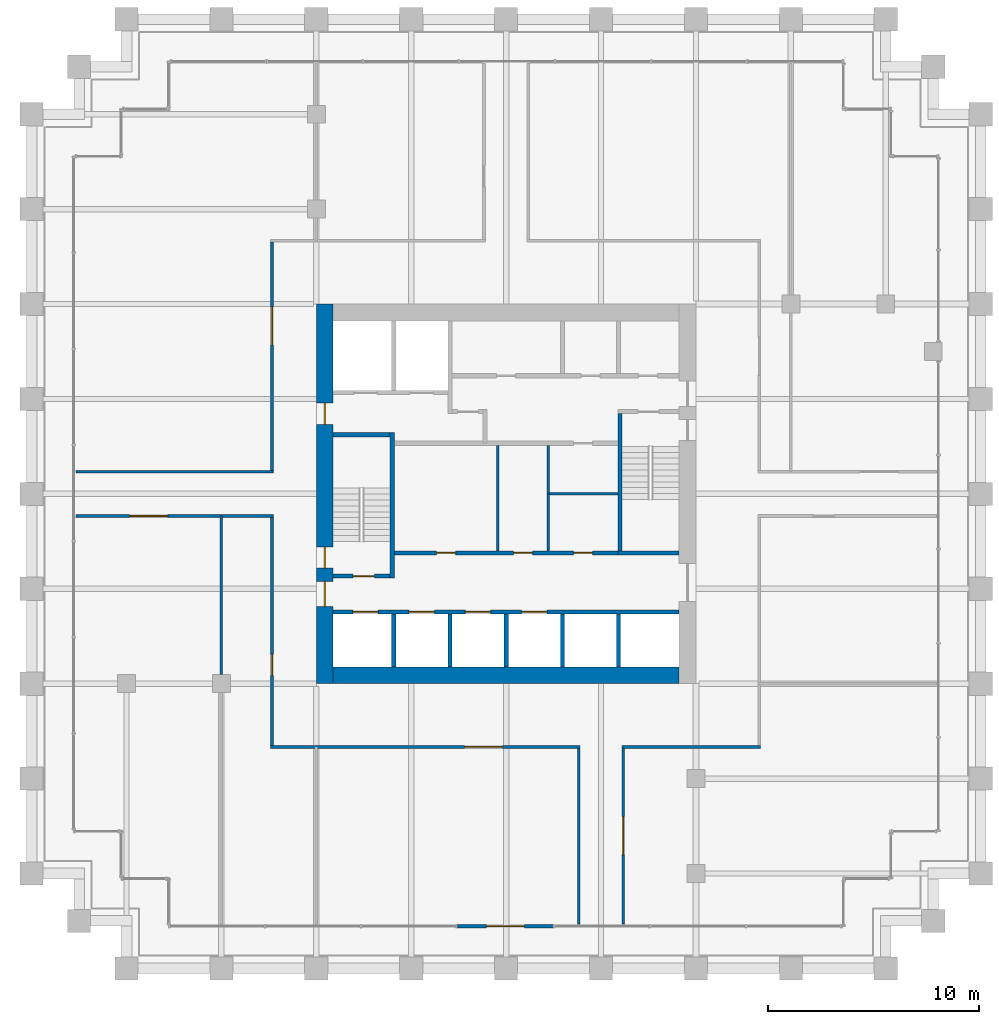
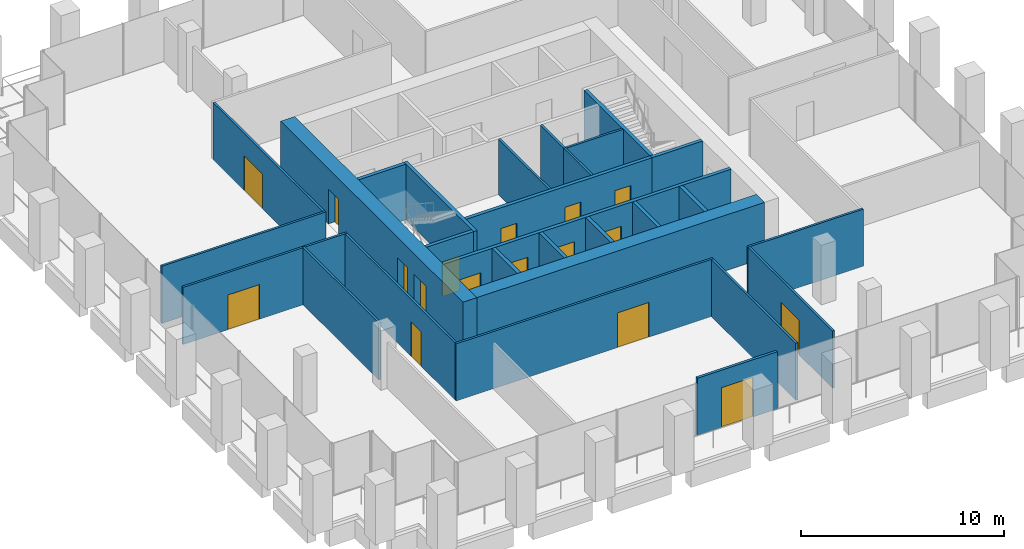
# One storey, part 50 of 54: 28 walls, 17 doors, 17 openings.
"""IFC4 building model written with IfcOpenShell, lengths in metres."""

from ifc_helpers import new_model, si_unit, direction, frame, frame_2d, origin, place, context, subcontext, project, spatial, rectangle, extrude, material, layer, layer_set, type_object, element, fill, save


model = new_model("IFC4")

# Units and contexts
model_context = context("Model", 3, precision=1e-05, world=origin(), true_north=direction((0.0, 1.0)))
body_context = subcontext(model_context, "Body", "Model", "MODEL_VIEW")
ifc_project = project(units=[si_unit("LENGTHUNIT", "METRE"), si_unit("AREAUNIT", "SQUARE_METRE"), si_unit("VOLUMEUNIT", "CUBIC_METRE"), si_unit("PLANEANGLEUNIT", "RADIAN"), si_unit("MASSUNIT", "GRAM", prefix="KILO")], contexts=[model_context])

# Site, building, storey
site_placement = place(None, origin())
site = spatial("IfcSite", under=ifc_project, at=site_placement, CompositionType="ELEMENT")
building_placement = place(site_placement, origin())
building = spatial("IfcBuilding", under=site, at=building_placement, Name="Altepetl Exchange Towers", CompositionType="ELEMENT")
storey_placement = place(building_placement, frame((0.0, 0.0, 61.800048828125)))
storey = spatial("IfcBuildingStorey", under=building, at=storey_placement, Name="L14", CompositionType="ELEMENT", Elevation=61.800048828125)

# Wall
ifc_material_1 = material(Name="Concrete C70/85", Category="concrete")
ifc_layer_1 = layer(ifc_material_1, 0.800048828125)
ifc_layer_set_1 = layer_set([ifc_layer_1], Name="Concrete C70/85")
wall_type_1 = type_object("IfcWallType", Name="Core wall 800 reinforced concrete", PredefinedType="SHEAR", material=ifc_layer_set_1)
wall_1_placement = place(storey_placement, frame((41.300048828125, 40.89990234375, 0.0)))
element("IfcWall", 1, at=wall_1_placement, inside=storey, type_object=wall_type_1, Name="wall:A:L14:K-coreS", PredefinedType="SHEAR", context=body_context, shape_type="SweptSolid", body=[
    extrude(rectangle(XDim=16.39990234375, YDim=0.800048828125, at=frame_2d((8.199951171875, 0.0))), origin(), (0.0, 0.0, 1.0), 3.349853515625),
])

# Wall, openings, doors
wall_2_placement = place(storey_placement, frame((40.89990234375, 40.5, 0.0), z_axis=(0.0, 0.0, 1.0), x_axis=(0.0, 1.0, 0.0)))
wall_2 = element("IfcWall", 2, at=wall_2_placement, inside=storey, type_object=wall_type_1, Name="wall:A:L14:K-coreW", PredefinedType="SHEAR", context=body_context, shape_type="SweptSolid", body=[
    extrude(rectangle(XDim=18.0, YDim=0.800048828125, at=frame_2d((9.0, 0.0))), origin(), (0.0, 0.0, 1.0), 3.349853515625),
])
opening_1_placement = place(wall_2_placement, frame((3.64990234375, 0.0, 0.0)))
opening_1 = element("IfcOpeningElement", 3, at=opening_1_placement, cuts=wall_2, Name="Opening L14.A62", PredefinedType="OPENING", context=body_context, shape_type="SweptSolid", body=[
    extrude(rectangle(XDim=1.199951171875, YDim=2.10009765625, at=frame_2d((0.60009765625, 1.050048828125))), frame((0.0, 0.41015625, 0.0), z_axis=(0.0, -1.0, 0.0), x_axis=(1.0, 0.0, 0.0)), (0.0, 0.0, 1.0), 0.820068359375),
])
opening_2_placement = place(wall_2_placement, frame((5.47509765625, 0.0, 0.0)))
opening_2 = element("IfcOpeningElement", 4, at=opening_2_placement, cuts=wall_2, Name="Opening L14.A64", PredefinedType="OPENING", context=body_context, shape_type="SweptSolid", body=[
    extrude(rectangle(XDim=1.0, YDim=2.10009765625, at=frame_2d((0.5, 1.050048828125))), frame((0.0, 0.41015625, 0.0), z_axis=(0.0, -1.0, 0.0), x_axis=(1.0, 0.0, 0.0)), (0.0, 0.0, 1.0), 0.820068359375),
])
opening_3_placement = place(wall_2_placement, frame((12.300048828125, 0.0, 0.0)))
opening_3 = element("IfcOpeningElement", 5, at=opening_3_placement, cuts=wall_2, Name="Opening L14.A68", PredefinedType="OPENING", context=body_context, shape_type="SweptSolid", body=[
    extrude(rectangle(XDim=1.0, YDim=2.10009765625, at=frame_2d((0.5, 1.050048828125))), frame((0.0, 0.41015625, 0.0), z_axis=(0.0, -1.0, 0.0), x_axis=(1.0, 0.0, 0.0)), (0.0, 0.0, 1.0), 0.820068359375),
])
ifc_material_2 = material(Name="Steel and timber fire door", Category="steel")
door_type_1 = type_object("IfcDoorType", Name="Fire door 1000 x 2100 stair and lobby", OperationType="SINGLE_SWING_LEFT", PredefinedType="DOOR", material=ifc_material_2)
door_1_placement = place(opening_2_placement, frame((1.0, 0.0, 0.0), x_axis=(-1.0, 0.0, 0.0)))
door_1 = element("IfcDoor", 6, at=door_1_placement, inside=storey, type_object=door_type_1, Name="door:A:L14:K-dS1x", OperationType="SINGLE_SWING_RIGHT", OverallHeight=2.10009765625, OverallWidth=1.0, PredefinedType="DOOR", context=body_context, shape_type="SweptSolid", body=[
    extrude(rectangle(XDim=1.0, YDim=2.10009765625, at=frame_2d((0.5, 1.050048828125))), frame((0.0, 0.02490234375, 0.0), z_axis=(0.0, -1.0, 0.0), x_axis=(1.0, 0.0, 0.0)), (0.0, 0.0, 1.0), 0.050048828125),
])
fill(opening_2, door_1)
door_2_placement = place(opening_3_placement, frame((1.0, 0.0, 0.0), x_axis=(-1.0, 0.0, 0.0)))
door_2 = element("IfcDoor", 7, at=door_2_placement, inside=storey, type_object=door_type_1, Name="door:A:L14:K-dffW", OperationType="SINGLE_SWING_LEFT", OverallHeight=2.10009765625, OverallWidth=1.0, PredefinedType="DOOR", context=body_context, shape_type="SweptSolid", body=[
    extrude(rectangle(XDim=1.0, YDim=2.10009765625, at=frame_2d((0.5, 1.050048828125))), frame((0.0, 0.02490234375, 0.0), z_axis=(0.0, -1.0, 0.0), x_axis=(1.0, 0.0, 0.0)), (0.0, 0.0, 1.0), 0.050048828125),
])
fill(opening_3, door_2)
door_type_2 = type_object("IfcDoorType", Name="Fire door 1200 x 2100 lobby entry", OperationType="SINGLE_SWING_LEFT", PredefinedType="DOOR", material=ifc_material_2)
door_3_placement = place(opening_1_placement, frame((1.199951171875, 0.0, 0.0), x_axis=(-1.0, 0.0, 0.0)))
door_3 = element("IfcDoor", 8, at=door_3_placement, inside=storey, type_object=door_type_2, Name="door:A:L14:K-dLSW", OperationType="SINGLE_SWING_LEFT", OverallHeight=2.10009765625, OverallWidth=1.199951171875, PredefinedType="DOOR", context=body_context, shape_type="SweptSolid", body=[
    extrude(rectangle(XDim=1.199951171875, YDim=2.10009765625, at=frame_2d((0.60009765625, 1.050048828125))), frame((0.0, 0.02490234375, 0.0), z_axis=(0.0, -1.0, 0.0), x_axis=(1.0, 0.0, 0.0)), (0.0, 0.0, 1.0), 0.050048828125),
])
fill(opening_1, door_3)

# Wall, opening, door
ifc_material_3 = material(Name="Aluminium composite cladding", Category="aluminium")
ifc_layer_2 = layer(ifc_material_3, 0.14990234375)
ifc_layer_set_2 = layer_set([ifc_layer_2], Name="Aluminium composite cladding")
wall_type_2 = type_object("IfcWallType", Name="Infill wall 150 aluminium panel", PredefinedType="SOLIDWALL", material=ifc_layer_set_2)
wall_3_placement = place(storey_placement, frame((47.18212890625, 29.0, 0.0)))
wall_3 = element("IfcWall", 9, at=wall_3_placement, inside=storey, type_object=wall_type_2, Name="Loggia door bay wall", PredefinedType="SOLIDWALL", context=body_context, shape_type="SweptSolid", body=[
    extrude(rectangle(XDim=4.560791015625, YDim=0.14990234375, at=frame_2d((2.2802734375, 0.0))), origin(), (0.0, 0.0, 1.0), 3.449951171875),
])
opening_4_placement = place(wall_3_placement, frame((1.38037109375, 0.0, 0.0)))
opening_4 = element("IfcOpeningElement", 10, at=opening_4_placement, cuts=wall_3, Name="Opening L14.A90", PredefinedType="OPENING", context=body_context, shape_type="SweptSolid", body=[
    extrude(rectangle(XDim=1.800048828125, YDim=2.39990234375, at=frame_2d((0.89990234375, 1.199951171875))), frame((0.0, 0.0849609375, 0.0), z_axis=(0.0, -1.0, 0.0), x_axis=(1.0, 0.0, 0.0)), (0.0, 0.0, 1.0), 0.169921875),
])
ifc_material_4 = material(Name="Aluminium 6063-T6 and glass", Category="aluminium")
door_type_3 = type_object("IfcDoorType", Name="Glazed door pair 1800x2400", OperationType="DOUBLE_DOOR_DOUBLE_SWING", PredefinedType="NOTDEFINED", material=ifc_material_4)
door_4_placement = place(opening_4_placement, frame((1.800048828125, 0.0, 0.0), x_axis=(-1.0, 0.0, 0.0)))
door_4 = element("IfcDoor", 11, at=door_4_placement, inside=storey, type_object=door_type_3, Name="Loggia door", OperationType="DOUBLE_DOOR_DOUBLE_SWING", OverallHeight=2.39990234375, OverallWidth=1.800048828125, PredefinedType="NOTDEFINED", context=body_context, shape_type="SweptSolid", body=[
    extrude(rectangle(XDim=1.800048828125, YDim=2.39990234375, at=frame_2d((0.89990234375, 1.199951171875))), frame((0.0, 0.02490234375, 0.0), z_axis=(0.0, -1.0, 0.0), x_axis=(1.0, 0.0, 0.0)), (0.0, 0.0, 1.0), 0.050048828125),
])
fill(opening_4, door_4)

# Wall, openings, doors
ifc_material_5 = material(Name="Concrete blockwork", Category="masonry")
ifc_layer_3 = layer(ifc_material_5, 0.199951171875)
ifc_layer_set_3 = layer_set([ifc_layer_3], Name="Concrete blockwork")
wall_type_3 = type_object("IfcWallType", Name="Lobby wall 200 blockwork", PredefinedType="PARTITIONING", material=ifc_layer_set_3)
wall_4_placement = place(storey_placement, frame((44.199951171875, 46.699951171875, 0.0)))
wall_4 = element("IfcWall", 12, at=wall_4_placement, inside=storey, type_object=wall_type_3, Name="wall:A:L14:K-zoneS", PredefinedType="PARTITIONING", context=body_context, shape_type="SweptSolid", body=[
    extrude(rectangle(XDim=10.60009765625, YDim=0.199951171875, at=frame_2d((5.300048828125, 0.0))), origin(), (0.0, 0.0, 1.0), 3.349853515625),
])
opening_5_placement = place(wall_4_placement, frame((2.0, 0.0, 0.0)))
opening_5 = element("IfcOpeningElement", 13, at=opening_5_placement, cuts=wall_4, Name="Opening L14.A72", PredefinedType="OPENING", context=body_context, shape_type="SweptSolid", body=[
    extrude(rectangle(XDim=0.89990234375, YDim=2.10009765625, at=frame_2d((0.449951171875, 1.050048828125))), frame((0.0, 0.10986328125, 0.0), z_axis=(0.0, -1.0, 0.0), x_axis=(1.0, 0.0, 0.0)), (0.0, 0.0, 1.0), 0.219970703125),
])
opening_6_placement = place(wall_4_placement, frame((5.64990234375, 0.0, 0.0)))
opening_6 = element("IfcOpeningElement", 14, at=opening_6_placement, cuts=wall_4, Name="Opening L14.A73", PredefinedType="OPENING", context=body_context, shape_type="SweptSolid", body=[
    extrude(rectangle(XDim=0.89990234375, YDim=2.10009765625, at=frame_2d((0.449951171875, 1.050048828125))), frame((0.0, 0.10986328125, 0.0), z_axis=(0.0, -1.0, 0.0), x_axis=(1.0, 0.0, 0.0)), (0.0, 0.0, 1.0), 0.219970703125),
])
opening_7_placement = place(wall_4_placement, frame((8.5, 0.0, 0.0)))
opening_7 = element("IfcOpeningElement", 15, at=opening_7_placement, cuts=wall_4, Name="Opening L14.A75", PredefinedType="OPENING", context=body_context, shape_type="SweptSolid", body=[
    extrude(rectangle(XDim=0.89990234375, YDim=2.10009765625, at=frame_2d((0.449951171875, 1.050048828125))), frame((0.0, 0.10986328125, 0.0), z_axis=(0.0, -1.0, 0.0), x_axis=(1.0, 0.0, 0.0)), (0.0, 0.0, 1.0), 0.219970703125),
])
door_type_4 = type_object("IfcDoorType", Name="Fire door 900 x 2100 service room", OperationType="SINGLE_SWING_LEFT", PredefinedType="DOOR", material=ifc_material_2)
door_5_placement = place(opening_5_placement, origin())
door_5 = element("IfcDoor", 16, at=door_5_placement, inside=storey, type_object=door_type_4, Name="door:A:L14:K-dz1", OperationType="SINGLE_SWING_LEFT", OverallHeight=2.10009765625, OverallWidth=0.89990234375, PredefinedType="DOOR", context=body_context, shape_type="SweptSolid", body=[
    extrude(rectangle(XDim=0.89990234375, YDim=2.10009765625, at=frame_2d((0.449951171875, 1.050048828125))), frame((0.0, 0.02490234375, 0.0), z_axis=(0.0, -1.0, 0.0), x_axis=(1.0, 0.0, 0.0)), (0.0, 0.0, 1.0), 0.050048828125),
])
fill(opening_5, door_5)
door_6_placement = place(opening_6_placement, origin())
door_6 = element("IfcDoor", 17, at=door_6_placement, inside=storey, type_object=door_type_4, Name="door:A:L14:K-dz2", OperationType="SINGLE_SWING_RIGHT", OverallHeight=2.10009765625, OverallWidth=0.89990234375, PredefinedType="DOOR", context=body_context, shape_type="SweptSolid", body=[
    extrude(rectangle(XDim=0.89990234375, YDim=2.10009765625, at=frame_2d((0.449951171875, 1.050048828125))), frame((0.0, 0.02490234375, 0.0), z_axis=(0.0, -1.0, 0.0), x_axis=(1.0, 0.0, 0.0)), (0.0, 0.0, 1.0), 0.050048828125),
])
fill(opening_6, door_6)
door_7_placement = place(opening_7_placement, origin())
door_7 = element("IfcDoor", 18, at=door_7_placement, inside=storey, type_object=door_type_4, Name="door:A:L14:K-dz4", OperationType="SINGLE_SWING_RIGHT", OverallHeight=2.10009765625, OverallWidth=0.89990234375, PredefinedType="DOOR", context=body_context, shape_type="SweptSolid", body=[
    extrude(rectangle(XDim=0.89990234375, YDim=2.10009765625, at=frame_2d((0.449951171875, 1.050048828125))), frame((0.0, 0.02490234375, 0.0), z_axis=(0.0, -1.0, 0.0), x_axis=(1.0, 0.0, 0.0)), (0.0, 0.0, 1.0), 0.050048828125),
])
fill(opening_7, door_7)

# Walls
ifc_material_6 = material(Name="Gypsum board on steel studs", Category="steel")
ifc_layer_4 = layer(ifc_material_6, 0.125)
ifc_layer_set_4 = layer_set([ifc_layer_4], Name="Gypsum board on steel studs")
wall_type_4 = type_object("IfcWallType", Name="Partition 125 gypsum board on steel studs", PredefinedType="PARTITIONING", material=ifc_layer_set_4)
wall_5_placement = place(storey_placement, frame((49.10009765625, 46.800048828125, 0.0), z_axis=(0.0, 0.0, 1.0), x_axis=(0.0, 1.0, 0.0)))
element("IfcWall", 19, at=wall_5_placement, inside=storey, type_object=wall_type_4, Name="wall:A:L14:K-zp1", PredefinedType="PARTITIONING", context=body_context, shape_type="SweptSolid", body=[
    extrude(rectangle(XDim=5.0, YDim=0.125, at=frame_2d((2.5, 0.0))), origin(), (0.0, 0.0, 1.0), 3.349853515625),
])
wall_6_placement = place(storey_placement, frame((51.5, 46.800048828125, 0.0), z_axis=(0.0, 0.0, 1.0), x_axis=(0.0, 1.0, 0.0)))
element("IfcWall", 20, at=wall_6_placement, inside=storey, type_object=wall_type_4, Name="wall:A:L14:K-zp2", PredefinedType="PARTITIONING", context=body_context, shape_type="SweptSolid", body=[
    extrude(rectangle(XDim=2.762451171875, YDim=0.125, at=frame_2d((1.38134765625, 0.0))), origin(), (0.0, 0.0, 1.0), 3.349853515625),
])
wall_7_placement = place(storey_placement, frame((51.5625, 49.5, 0.0)))
element("IfcWall", 21, at=wall_7_placement, inside=storey, type_object=wall_type_4, Name="wall:A:L14:K-zp3", PredefinedType="PARTITIONING", context=body_context, shape_type="SweptSolid", body=[
    extrude(rectangle(XDim=3.237548828125, YDim=0.125, at=frame_2d((1.61865234375, 0.0))), origin(), (0.0, 0.0, 1.0), 3.349853515625),
])
wall_8_placement = place(storey_placement, frame((51.5, 49.5, 0.0), z_axis=(0.0, 0.0, 1.0), x_axis=(0.0, 1.0, 0.0)))
element("IfcWall", 22, at=wall_8_placement, inside=storey, type_object=wall_type_4, Name="wall:A:L14:K-zp4", PredefinedType="PARTITIONING", context=body_context, shape_type="SweptSolid", body=[
    extrude(rectangle(XDim=2.300048828125, YDim=0.125, at=frame_2d((1.14990234375, 0.0))), origin(), (0.0, 0.0, 1.0), 3.349853515625),
])

# Wall, opening, door
wall_9_placement = place(storey_placement, frame((38.33740234375, 37.5, 0.0)))
wall_9 = element("IfcWall", 23, at=wall_9_placement, inside=storey, type_object=wall_type_4, Name="wall:A:L14:P01", PredefinedType="PARTITIONING", context=body_context, shape_type="SweptSolid", body=[
    extrude(rectangle(XDim=14.675048828125, YDim=0.125, at=frame_2d((7.33740234375, 0.0))), origin(), (0.0, 0.0, 1.0), 3.449951171875),
])
opening_8_placement = place(wall_9_placement, frame((9.193603515625, 0.0, 0.0)))
opening_8 = element("IfcOpeningElement", 24, at=opening_8_placement, cuts=wall_9, Name="Opening L14.A03", PredefinedType="OPENING", context=body_context, shape_type="SweptSolid", body=[
    extrude(rectangle(XDim=1.800048828125, YDim=2.10009765625, at=frame_2d((0.89990234375, 1.050048828125))), frame((0.0, 0.072509765625, 0.0), z_axis=(0.0, -1.0, 0.0), x_axis=(1.0, 0.0, 0.0)), (0.0, 0.0, 1.0), 0.14501953125),
])
door_type_5 = type_object("IfcDoorType", Name="Fire door 1800 x 2100 double leaf", OperationType="DOUBLE_DOOR_SINGLE_SWING", PredefinedType="DOOR", material=ifc_material_2)
door_8_placement = place(opening_8_placement, frame((1.800048828125, 0.0, 0.0), x_axis=(-1.0, 0.0, 0.0)))
door_8 = element("IfcDoor", 25, at=door_8_placement, inside=storey, type_object=door_type_5, Name="door:A:L14:03", OperationType="DOUBLE_DOOR_SINGLE_SWING", OverallHeight=2.10009765625, OverallWidth=1.800048828125, PredefinedType="DOOR", context=body_context, shape_type="SweptSolid", body=[
    extrude(rectangle(XDim=1.800048828125, YDim=2.10009765625, at=frame_2d((0.89990234375, 1.050048828125))), frame((0.0, 0.02490234375, 0.0), z_axis=(0.0, -1.0, 0.0), x_axis=(1.0, 0.0, 0.0)), (0.0, 0.0, 1.0), 0.050048828125),
])
fill(opening_8, door_8)

# Wall
wall_10_placement = place(storey_placement, frame((54.987548828125, 37.5, 0.0)))
element("IfcWall", 26, at=wall_10_placement, inside=storey, type_object=wall_type_4, Name="wall:A:L14:P02", PredefinedType="PARTITIONING", context=body_context, shape_type="SweptSolid", body=[
    extrude(rectangle(XDim=6.574951171875, YDim=0.125, at=frame_2d((3.28759765625, 0.0))), origin(), (0.0, 0.0, 1.0), 3.449951171875),
])

# Wall, opening, door
wall_11_placement = place(storey_placement, frame((29.10009765625, 48.449951171875, 0.0)))
wall_11 = element("IfcWall", 27, at=wall_11_placement, inside=storey, type_object=wall_type_4, Name="wall:A:L14:P04", PredefinedType="PARTITIONING", context=body_context, shape_type="SweptSolid", body=[
    extrude(rectangle(XDim=9.3623046875, YDim=0.125, at=frame_2d((4.68115234375, 0.0))), origin(), (0.0, 0.0, 1.0), 3.449951171875),
])
opening_9_placement = place(wall_11_placement, frame((2.550048828125, 0.0, 0.0)))
opening_9 = element("IfcOpeningElement", 28, at=opening_9_placement, cuts=wall_11, Name="Opening L14.A01", PredefinedType="OPENING", context=body_context, shape_type="SweptSolid", body=[
    extrude(rectangle(XDim=1.800048828125, YDim=2.10009765625, at=frame_2d((0.89990234375, 1.050048828125))), frame((0.0, 0.072509765625, 0.0), z_axis=(0.0, -1.0, 0.0), x_axis=(1.0, 0.0, 0.0)), (0.0, 0.0, 1.0), 0.14501953125),
])
door_9_placement = place(opening_9_placement, frame((1.800048828125, 0.0, 0.0), x_axis=(-1.0, 0.0, 0.0)))
door_9 = element("IfcDoor", 29, at=door_9_placement, inside=storey, type_object=door_type_5, Name="door:A:L14:01", OperationType="DOUBLE_DOOR_SINGLE_SWING", OverallHeight=2.10009765625, OverallWidth=1.800048828125, PredefinedType="DOOR", context=body_context, shape_type="SweptSolid", body=[
    extrude(rectangle(XDim=1.800048828125, YDim=2.10009765625, at=frame_2d((0.89990234375, 1.050048828125))), frame((0.0, 0.02490234375, 0.0), z_axis=(0.0, -1.0, 0.0), x_axis=(1.0, 0.0, 0.0)), (0.0, 0.0, 1.0), 0.050048828125),
])
fill(opening_9, door_9)

# Walls
wall_12_placement = place(storey_placement, frame((29.10009765625, 50.550048828125, 0.0)))
element("IfcWall", 30, at=wall_12_placement, inside=storey, type_object=wall_type_4, Name="wall:A:L14:P06", PredefinedType="PARTITIONING", context=body_context, shape_type="SweptSolid", body=[
    extrude(rectangle(XDim=9.3623046875, YDim=0.125, at=frame_2d((4.68115234375, 0.0))), origin(), (0.0, 0.0, 1.0), 3.449951171875),
])
wall_13_placement = place(storey_placement, frame((36.0, 40.925048828125, 0.0), z_axis=(0.0, 0.0, 1.0), x_axis=(0.0, 1.0, 0.0)))
element("IfcWall", 31, at=wall_13_placement, inside=storey, type_object=wall_type_4, Name="wall:A:L14:P11", PredefinedType="PARTITIONING", context=body_context, shape_type="SweptSolid", body=[
    extrude(rectangle(XDim=7.52490234375, YDim=0.125, at=frame_2d((3.762451171875, 0.0))), origin(), (0.0, 0.0, 1.0), 3.449951171875),
])

# Wall, opening, door
wall_14_placement = place(storey_placement, frame((38.39990234375, 37.5625, 0.0), z_axis=(0.0, 0.0, 1.0), x_axis=(0.0, 1.0, 0.0)))
wall_14 = element("IfcWall", 32, at=wall_14_placement, inside=storey, type_object=wall_type_4, Name="wall:A:L14:P12", PredefinedType="PARTITIONING", context=body_context, shape_type="SweptSolid", body=[
    extrude(rectangle(XDim=10.824951171875, YDim=0.125, at=frame_2d((5.41259765625, 0.0))), origin(), (0.0, 0.0, 1.0), 3.449951171875),
])
opening_10_placement = place(wall_14_placement, frame((3.32861328125, 0.0, 0.0)))
opening_10 = element("IfcOpeningElement", 33, at=opening_10_placement, cuts=wall_14, Name="Opening L14.A02", PredefinedType="OPENING", context=body_context, shape_type="SweptSolid", body=[
    extrude(rectangle(XDim=1.0, YDim=2.10009765625, at=frame_2d((0.5, 1.050048828125))), frame((0.0, 0.072509765625, 0.0), z_axis=(0.0, -1.0, 0.0), x_axis=(1.0, 0.0, 0.0)), (0.0, 0.0, 1.0), 0.14501953125),
])
door_type_6 = type_object("IfcDoorType", Name="Fire door 1000 x 2100 single leaf", OperationType="SINGLE_SWING_LEFT", PredefinedType="DOOR", material=ifc_material_2)
door_10_placement = place(opening_10_placement, origin())
door_10 = element("IfcDoor", 34, at=door_10_placement, inside=storey, type_object=door_type_6, Name="door:A:L14:02", OperationType="SINGLE_SWING_RIGHT", OverallHeight=2.10009765625, OverallWidth=1.0, PredefinedType="DOOR", context=body_context, shape_type="SweptSolid", body=[
    extrude(rectangle(XDim=1.0, YDim=2.10009765625, at=frame_2d((0.5, 1.050048828125))), frame((0.0, 0.02490234375, 0.0), z_axis=(0.0, -1.0, 0.0), x_axis=(1.0, 0.0, 0.0)), (0.0, 0.0, 1.0), 0.050048828125),
])
fill(opening_10, door_10)

wall_15_placement = place(storey_placement, frame((38.39990234375, 50.612548828125, 0.0), z_axis=(0.0, 0.0, 1.0), x_axis=(0.0, 1.0, 0.0)))
wall_15 = element("IfcWall", 35, at=wall_15_placement, inside=storey, type_object=wall_type_4, Name="wall:A:L14:P13", PredefinedType="PARTITIONING", context=body_context, shape_type="SweptSolid", body=[
    extrude(rectangle(XDim=10.824951171875, YDim=0.125, at=frame_2d((5.41259765625, 0.0))), origin(), (0.0, 0.0, 1.0), 3.449951171875),
])
opening_11_placement = place(wall_15_placement, frame((5.95654296875, 0.0, 0.0)))
opening_11 = element("IfcOpeningElement", 36, at=opening_11_placement, cuts=wall_15, Name="Opening L14.A09", PredefinedType="OPENING", context=body_context, shape_type="SweptSolid", body=[
    extrude(rectangle(XDim=1.800048828125, YDim=2.10009765625, at=frame_2d((0.89990234375, 1.050048828125))), frame((0.0, 0.072509765625, 0.0), z_axis=(0.0, -1.0, 0.0), x_axis=(1.0, 0.0, 0.0)), (0.0, 0.0, 1.0), 0.14501953125),
])
door_11_placement = place(opening_11_placement, origin())
door_11 = element("IfcDoor", 37, at=door_11_placement, inside=storey, type_object=door_type_5, Name="door:A:L14:09", OperationType="DOUBLE_DOOR_SINGLE_SWING", OverallHeight=2.10009765625, OverallWidth=1.800048828125, PredefinedType="DOOR", context=body_context, shape_type="SweptSolid", body=[
    extrude(rectangle(XDim=1.800048828125, YDim=2.10009765625, at=frame_2d((0.89990234375, 1.050048828125))), frame((0.0, 0.02490234375, 0.0), z_axis=(0.0, -1.0, 0.0), x_axis=(1.0, 0.0, 0.0)), (0.0, 0.0, 1.0), 0.050048828125),
])
fill(opening_11, door_11)

# Wall
wall_16_placement = place(storey_placement, frame((52.949951171875, 29.10009765625, 0.0), z_axis=(0.0, 0.0, 1.0), x_axis=(0.0, 1.0, 0.0)))
element("IfcWall", 38, at=wall_16_placement, inside=storey, type_object=wall_type_4, Name="wall:A:L14:P20", PredefinedType="PARTITIONING", context=body_context, shape_type="SweptSolid", body=[
    extrude(rectangle(XDim=8.33740234375, YDim=0.125, at=frame_2d((4.168701171875, 0.0))), origin(), (0.0, 0.0, 1.0), 3.449951171875),
])

# Wall, opening, door
wall_17_placement = place(storey_placement, frame((55.050048828125, 29.10009765625, 0.0), z_axis=(0.0, 0.0, 1.0), x_axis=(0.0, 1.0, 0.0)))
wall_17 = element("IfcWall", 39, at=wall_17_placement, inside=storey, type_object=wall_type_4, Name="wall:A:L14:P21", PredefinedType="PARTITIONING", context=body_context, shape_type="SweptSolid", body=[
    extrude(rectangle(XDim=8.33740234375, YDim=0.125, at=frame_2d((4.168701171875, 0.0))), origin(), (0.0, 0.0, 1.0), 3.449951171875),
])
opening_12_placement = place(wall_17_placement, frame((3.300048828125, 0.0, 0.0)))
opening_12 = element("IfcOpeningElement", 40, at=opening_12_placement, cuts=wall_17, Name="Opening L14.A04", PredefinedType="OPENING", context=body_context, shape_type="SweptSolid", body=[
    extrude(rectangle(XDim=1.800048828125, YDim=2.10009765625, at=frame_2d((0.89990234375, 1.050048828125))), frame((0.0, 0.072509765625, 0.0), z_axis=(0.0, -1.0, 0.0), x_axis=(1.0, 0.0, 0.0)), (0.0, 0.0, 1.0), 0.14501953125),
])
door_12_placement = place(opening_12_placement, frame((1.800048828125, 0.0, 0.0), x_axis=(-1.0, 0.0, 0.0)))
door_12 = element("IfcDoor", 41, at=door_12_placement, inside=storey, type_object=door_type_5, Name="door:A:L14:04", OperationType="DOUBLE_DOOR_SINGLE_SWING", OverallHeight=2.10009765625, OverallWidth=1.800048828125, PredefinedType="DOOR", context=body_context, shape_type="SweptSolid", body=[
    extrude(rectangle(XDim=1.800048828125, YDim=2.10009765625, at=frame_2d((0.89990234375, 1.050048828125))), frame((0.0, 0.02490234375, 0.0), z_axis=(0.0, -1.0, 0.0), x_axis=(1.0, 0.0, 0.0)), (0.0, 0.0, 1.0), 0.050048828125),
])
fill(opening_12, door_12)

# Walls
ifc_material_7 = material(Name="Concrete C40/50", Category="concrete")
ifc_layer_5 = layer(ifc_material_7, 0.199951171875)
ifc_layer_set_5 = layer_set([ifc_layer_5], Name="Concrete C40/50")
wall_type_5 = type_object("IfcWallType", Name="Shaft wall 200 reinforced concrete", PredefinedType="SHEAR", material=ifc_layer_set_5)
for number, where, z_axis, x_axis, name in (
    (42, (44.166748046875, 41.300048828125, 0.0), (0.0, 0.0, 1.0), (0.0, 1.0, 0.0), "wall:A:L14:K-divS1"),
    (43, (46.833251953125, 41.300048828125, 0.0), (0.0, 0.0, 1.0), (0.0, 1.0, 0.0), "wall:A:L14:K-divS2"),
    (44, (49.5, 41.300048828125, 0.0), (0.0, 0.0, 1.0), (0.0, 1.0, 0.0), "wall:A:L14:K-divS3"),
    (45, (52.166748046875, 41.300048828125, 0.0), (0.0, 0.0, 1.0), (0.0, 1.0, 0.0), "wall:A:L14:K-divS4"),
    (46, (54.833251953125, 41.300048828125, 0.0), (0.0, 0.0, 1.0), (0.0, 1.0, 0.0), "wall:A:L14:K-divS5"),
):
    element("IfcWall", number, at=place(storey_placement, frame(where, z_axis=z_axis, x_axis=x_axis)), inside=storey, type_object=wall_type_5, Name=name, PredefinedType="SHEAR", context=body_context, shape_type="SweptSolid", body=[
        extrude(rectangle(XDim=2.5, YDim=0.199951171875, at=frame_2d((1.25, 0.0))), origin(), (0.0, 0.0, 1.0), 3.349853515625),
    ])

# Wall, openings, doors
wall_18_placement = place(storey_placement, frame((41.300048828125, 43.89990234375, 0.0)))
wall_18 = element("IfcWall", 47, at=wall_18_placement, inside=storey, type_object=wall_type_5, Name="wall:A:L14:K-frontS", PredefinedType="SHEAR", context=body_context, shape_type="SweptSolid", body=[
    extrude(rectangle(XDim=16.39990234375, YDim=0.199951171875, at=frame_2d((8.199951171875, 0.0))), origin(), (0.0, 0.0, 1.0), 3.349853515625),
])
opening_13_placement = place(wall_18_placement, frame((0.933349609375, 0.0, 0.0)))
opening_13 = element("IfcOpeningElement", 48, at=opening_13_placement, cuts=wall_18, Name="Opening L14.A78", PredefinedType="OPENING", context=body_context, shape_type="SweptSolid", body=[
    extrude(rectangle(XDim=1.199951171875, YDim=2.10009765625, at=frame_2d((0.60009765625, 1.050048828125))), frame((0.0, 0.10986328125, 0.0), z_axis=(0.0, -1.0, 0.0), x_axis=(1.0, 0.0, 0.0)), (0.0, 0.0, 1.0), 0.219970703125),
])
opening_14_placement = place(wall_18_placement, frame((3.60009765625, 0.0, 0.0)))
opening_14 = element("IfcOpeningElement", 49, at=opening_14_placement, cuts=wall_18, Name="Opening L14.A79", PredefinedType="OPENING", context=body_context, shape_type="SweptSolid", body=[
    extrude(rectangle(XDim=1.199951171875, YDim=2.10009765625, at=frame_2d((0.60009765625, 1.050048828125))), frame((0.0, 0.10986328125, 0.0), z_axis=(0.0, -1.0, 0.0), x_axis=(1.0, 0.0, 0.0)), (0.0, 0.0, 1.0), 0.219970703125),
])
opening_15_placement = place(wall_18_placement, frame((6.2666015625, 0.0, 0.0)))
opening_15 = element("IfcOpeningElement", 50, at=opening_15_placement, cuts=wall_18, Name="Opening L14.A80", PredefinedType="OPENING", context=body_context, shape_type="SweptSolid", body=[
    extrude(rectangle(XDim=1.199951171875, YDim=2.10009765625, at=frame_2d((0.60009765625, 1.050048828125))), frame((0.0, 0.10986328125, 0.0), z_axis=(0.0, -1.0, 0.0), x_axis=(1.0, 0.0, 0.0)), (0.0, 0.0, 1.0), 0.219970703125),
])
opening_16_placement = place(wall_18_placement, frame((8.933349609375, 0.0, 0.0)))
opening_16 = element("IfcOpeningElement", 51, at=opening_16_placement, cuts=wall_18, Name="Opening L14.A81", PredefinedType="OPENING", context=body_context, shape_type="SweptSolid", body=[
    extrude(rectangle(XDim=1.199951171875, YDim=2.10009765625, at=frame_2d((0.60009765625, 1.050048828125))), frame((0.0, 0.10986328125, 0.0), z_axis=(0.0, -1.0, 0.0), x_axis=(1.0, 0.0, 0.0)), (0.0, 0.0, 1.0), 0.219970703125),
])
ifc_material_8 = material(Name="Stainless steel", Category="steel")
door_type_7 = type_object("IfcDoorType", Name="Lift landing door 1200 x 2100", OperationType="SLIDING_TO_LEFT", PredefinedType="DOOR", material=ifc_material_8)
door_13_placement = place(opening_13_placement, origin())
door_13 = element("IfcDoor", 52, at=door_13_placement, inside=storey, type_object=door_type_7, Name="Landing door P1", OperationType="SLIDING_TO_LEFT", OverallHeight=2.10009765625, OverallWidth=1.199951171875, PredefinedType="DOOR", context=body_context, shape_type="SweptSolid", body=[
    extrude(rectangle(XDim=1.199951171875, YDim=2.10009765625, at=frame_2d((0.60009765625, 1.050048828125))), frame((0.0, 0.02490234375, 0.0), z_axis=(0.0, -1.0, 0.0), x_axis=(1.0, 0.0, 0.0)), (0.0, 0.0, 1.0), 0.050048828125),
])
fill(opening_13, door_13)
door_14_placement = place(opening_14_placement, origin())
door_14 = element("IfcDoor", 53, at=door_14_placement, inside=storey, type_object=door_type_7, Name="Landing door P2", OperationType="SLIDING_TO_LEFT", OverallHeight=2.10009765625, OverallWidth=1.199951171875, PredefinedType="DOOR", context=body_context, shape_type="SweptSolid", body=[
    extrude(rectangle(XDim=1.199951171875, YDim=2.10009765625, at=frame_2d((0.60009765625, 1.050048828125))), frame((0.0, 0.02490234375, 0.0), z_axis=(0.0, -1.0, 0.0), x_axis=(1.0, 0.0, 0.0)), (0.0, 0.0, 1.0), 0.050048828125),
])
fill(opening_14, door_14)
door_15_placement = place(opening_15_placement, origin())
door_15 = element("IfcDoor", 54, at=door_15_placement, inside=storey, type_object=door_type_7, Name="Landing door P3", OperationType="SLIDING_TO_LEFT", OverallHeight=2.10009765625, OverallWidth=1.199951171875, PredefinedType="DOOR", context=body_context, shape_type="SweptSolid", body=[
    extrude(rectangle(XDim=1.199951171875, YDim=2.10009765625, at=frame_2d((0.60009765625, 1.050048828125))), frame((0.0, 0.02490234375, 0.0), z_axis=(0.0, -1.0, 0.0), x_axis=(1.0, 0.0, 0.0)), (0.0, 0.0, 1.0), 0.050048828125),
])
fill(opening_15, door_15)
door_16_placement = place(opening_16_placement, origin())
door_16 = element("IfcDoor", 55, at=door_16_placement, inside=storey, type_object=door_type_7, Name="Landing door P4", OperationType="SLIDING_TO_LEFT", OverallHeight=2.10009765625, OverallWidth=1.199951171875, PredefinedType="DOOR", context=body_context, shape_type="SweptSolid", body=[
    extrude(rectangle(XDim=1.199951171875, YDim=2.10009765625, at=frame_2d((0.60009765625, 1.050048828125))), frame((0.0, 0.02490234375, 0.0), z_axis=(0.0, -1.0, 0.0), x_axis=(1.0, 0.0, 0.0)), (0.0, 0.0, 1.0), 0.050048828125),
])
fill(opening_16, door_16)

# Walls
ifc_layer_6 = layer(ifc_material_7, 0.199951171875)
ifc_layer_set_6 = layer_set([ifc_layer_6], Name="Concrete C40/50")
wall_type_6 = type_object("IfcWallType", Name="Stair wall 200 reinforced concrete", PredefinedType="SHEAR", material=ifc_layer_set_6)
wall_19_placement = place(storey_placement, frame((44.10009765625, 45.5, 0.0), z_axis=(0.0, 0.0, 1.0), x_axis=(0.0, 1.0, 0.0)))
element("IfcWall", 56, at=wall_19_placement, inside=storey, type_object=wall_type_6, Name="wall:A:L14:K-stS1E", PredefinedType="SHEAR", context=body_context, shape_type="SweptSolid", body=[
    extrude(rectangle(XDim=6.89990234375, YDim=0.199951171875, at=frame_2d((3.449951171875, 0.0))), origin(), (0.0, 0.0, 1.0), 3.349853515625),
])
wall_20_placement = place(storey_placement, frame((41.300048828125, 52.300048828125, 0.0)))
element("IfcWall", 57, at=wall_20_placement, inside=storey, type_object=wall_type_6, Name="wall:A:L14:K-stS1N", PredefinedType="SHEAR", context=body_context, shape_type="SweptSolid", body=[
    extrude(rectangle(XDim=2.699951171875, YDim=0.199951171875, at=frame_2d((1.35009765625, 0.0))), origin(), (0.0, 0.0, 1.0), 3.349853515625),
])

# Wall, opening, door
wall_21_placement = place(storey_placement, frame((41.300048828125, 45.60009765625, 0.0)))
wall_21 = element("IfcWall", 58, at=wall_21_placement, inside=storey, type_object=wall_type_6, Name="wall:A:L14:K-stS1S", PredefinedType="SHEAR", context=body_context, shape_type="SweptSolid", body=[
    extrude(rectangle(XDim=2.699951171875, YDim=0.199951171875, at=frame_2d((1.35009765625, 0.0))), origin(), (0.0, 0.0, 1.0), 3.349853515625),
])
opening_17_placement = place(wall_21_placement, frame((0.949951171875, 0.0, 0.0)))
opening_17 = element("IfcOpeningElement", 59, at=opening_17_placement, cuts=wall_21, Name="Opening L14.A63", PredefinedType="OPENING", context=body_context, shape_type="SweptSolid", body=[
    extrude(rectangle(XDim=1.0, YDim=2.10009765625, at=frame_2d((0.5, 1.050048828125))), frame((0.0, 0.10986328125, 0.0), z_axis=(0.0, -1.0, 0.0), x_axis=(1.0, 0.0, 0.0)), (0.0, 0.0, 1.0), 0.219970703125),
])
door_17_placement = place(opening_17_placement, origin())
door_17 = element("IfcDoor", 60, at=door_17_placement, inside=storey, type_object=door_type_1, Name="door:A:L14:K-dS1in", OperationType="SINGLE_SWING_RIGHT", OverallHeight=2.10009765625, OverallWidth=1.0, PredefinedType="DOOR", context=body_context, shape_type="SweptSolid", body=[
    extrude(rectangle(XDim=1.0, YDim=2.10009765625, at=frame_2d((0.5, 1.050048828125))), frame((0.0, 0.02490234375, 0.0), z_axis=(0.0, -1.0, 0.0), x_axis=(1.0, 0.0, 0.0)), (0.0, 0.0, 1.0), 0.050048828125),
])
fill(opening_17, door_17)

# Walls
wall_22_placement = place(storey_placement, frame((54.800048828125, 46.699951171875, 0.0)))
element("IfcWall", 61, at=wall_22_placement, inside=storey, type_object=wall_type_6, Name="wall:A:L14:K-stS2S", PredefinedType="SHEAR", context=body_context, shape_type="SweptSolid", body=[
    extrude(rectangle(XDim=2.89990234375, YDim=0.199951171875, at=frame_2d((1.449951171875, 0.0))), origin(), (0.0, 0.0, 1.0), 3.349853515625),
])
wall_23_placement = place(storey_placement, frame((54.89990234375, 46.800048828125, 0.0), z_axis=(0.0, 0.0, 1.0), x_axis=(0.0, 1.0, 0.0)))
element("IfcWall", 62, at=wall_23_placement, inside=storey, type_object=wall_type_6, Name="wall:A:L14:K-stS2W", PredefinedType="SHEAR", context=body_context, shape_type="SweptSolid", body=[
    extrude(rectangle(XDim=6.5, YDim=0.199951171875, at=frame_2d((3.25, 0.0))), origin(), (0.0, 0.0, 1.0), 3.349853515625),
])

save(model, "model.ifc")
